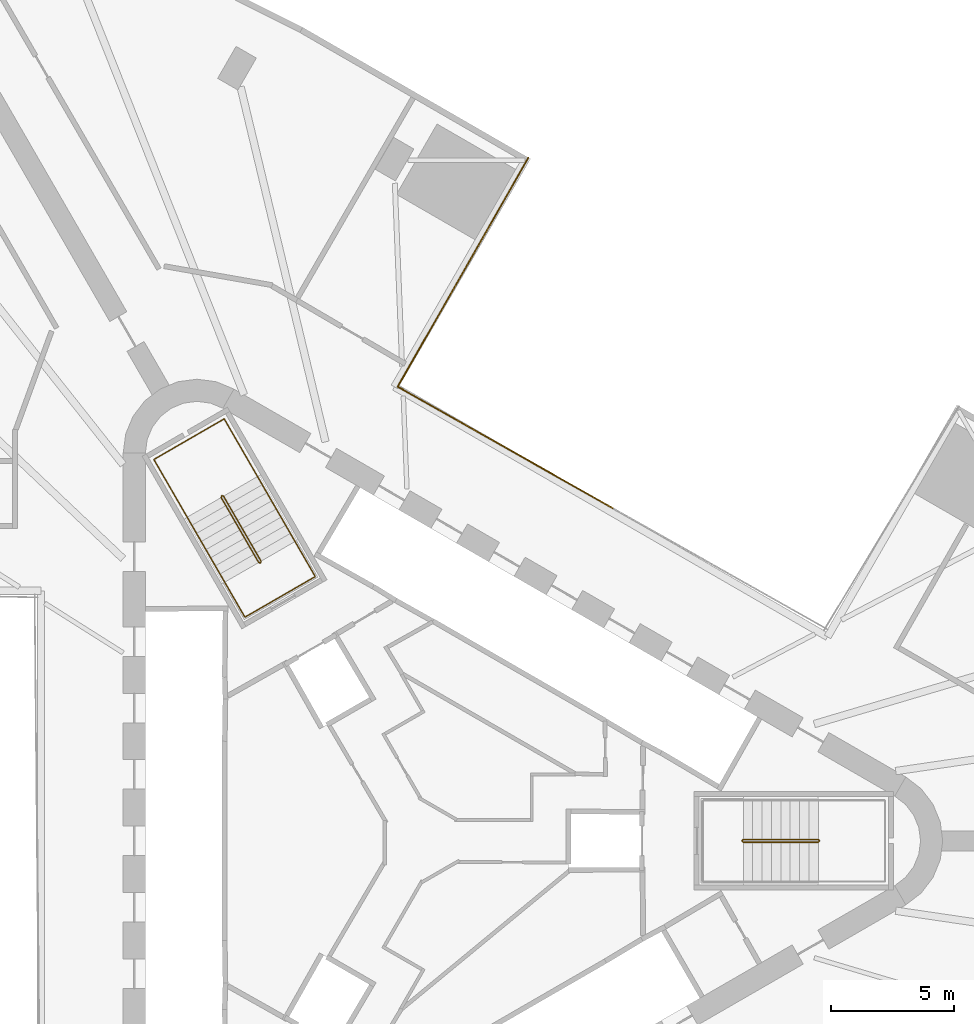
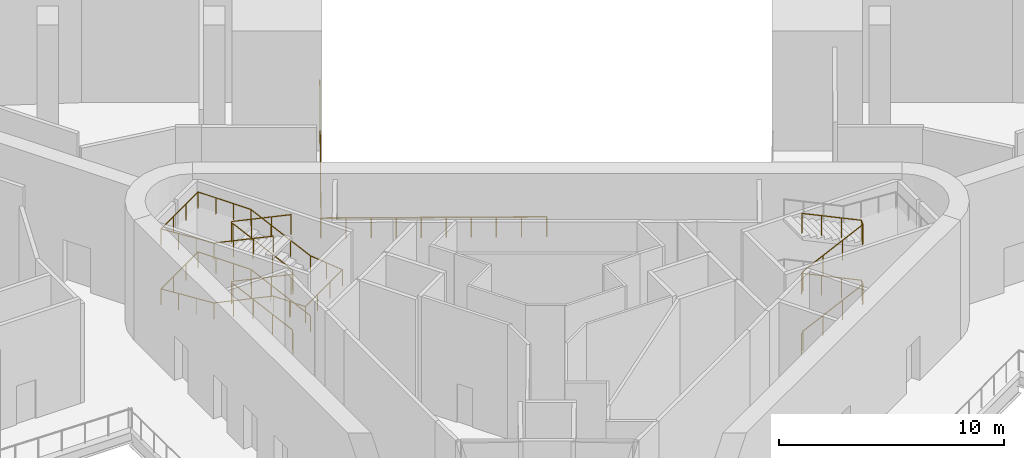
# One storey, part 10 of 11: 5 railings.
"""IFC4 building model written with IfcOpenShell, lengths in metres."""

from ifc_helpers import new_model, si_unit, direction, frame, origin, origin_2d, place, context, subcontext, project, spatial, circle, extrude, material, type_object, element, save


model = new_model("IFC4")

# Units and contexts
model_context = context("Model", 3, precision=1e-05, world=origin(), true_north=direction((0.0, 1.0)))
body_context = subcontext(model_context, "Body", "Model", "MODEL_VIEW")
ifc_project = project(units=[si_unit("LENGTHUNIT", "METRE"), si_unit("AREAUNIT", "SQUARE_METRE"), si_unit("VOLUMEUNIT", "CUBIC_METRE"), si_unit("PLANEANGLEUNIT", "RADIAN"), si_unit("MASSUNIT", "GRAM", prefix="KILO")], contexts=[model_context])

# Site, building, storey
site_placement = place(None, origin())
site = spatial("IfcSite", under=ifc_project, at=site_placement, CompositionType="ELEMENT")
building_placement = place(site_placement, origin())
building = spatial("IfcBuilding", under=site, at=building_placement, Name="Tanit Gate Tower", CompositionType="ELEMENT")
storey_placement = place(building_placement, frame((0.0, 0.0, 9.0)))
storey = spatial("IfcBuildingStorey", under=building, at=storey_placement, Name="L01", CompositionType="ELEMENT", Elevation=9.0)

# Railings
ifc_material_1 = material(Name="Stainless steel", Category="steel")
railing_type_1 = type_object("IfcRailingType", Name="Guard 1100 stainless steel balustrade", PredefinedType="GUARDRAIL", material=ifc_material_1)
railing_1_placement = place(storey_placement, frame((4.366943359375, 27.763916015625, 0.0)))
element("IfcRailing", 1, at=railing_1_placement, inside=storey, type_object=railing_type_1, Name="Tunnel edge guard L01 6", PredefinedType="GUARDRAIL", context=body_context, shape_type="SweptSolid", body=[
    extrude(circle(Radius=0.02392578125, at=origin_2d()), frame((0.0, 0.0, 1.076171875), z_axis=(-0.495702152138, -0.86849258855, 0.0), x_axis=(0.86849258855, -0.495702152138, 0.0)), (0.0, 0.0, 1.0), 10.716064453125),
    extrude(circle(Radius=0.02099609375, at=origin_2d()), origin(), (0.0, 0.0, 1.0), 1.052001953125),
    extrude(circle(Radius=0.02099609375, at=origin_2d()), frame((-0.59033203125, -1.0341796875, 0.0)), (0.0, 0.0, 1.0), 1.052001953125),
    extrude(circle(Radius=0.02099609375, at=origin_2d()), frame((-1.180419921875, -2.068115234375, 0.0)), (0.0, 0.0, 1.0), 1.052001953125),
    extrude(circle(Radius=0.02099609375, at=origin_2d()), frame((-1.770751953125, -3.102294921875, 0.0)), (0.0, 0.0, 1.0), 1.052001953125),
    extrude(circle(Radius=0.02099609375, at=origin_2d()), frame((-2.36083984375, -4.136474609375, 0.0)), (0.0, 0.0, 1.0), 1.052001953125),
    extrude(circle(Radius=0.02099609375, at=origin_2d()), frame((-2.951171875, -5.17041015625, 0.0)), (0.0, 0.0, 1.0), 1.052001953125),
    extrude(circle(Radius=0.02099609375, at=origin_2d()), frame((-3.541259765625, -6.20458984375, 0.0)), (0.0, 0.0, 1.0), 1.052001953125),
    extrude(circle(Radius=0.02099609375, at=origin_2d()), frame((-4.131591796875, -7.23876953125, 0.0)), (0.0, 0.0, 1.0), 1.052001953125),
    extrude(circle(Radius=0.02099609375, at=origin_2d()), frame((-4.7216796875, -8.272705078125, 0.0)), (0.0, 0.0, 1.0), 1.052001953125),
    extrude(circle(Radius=0.02099609375, at=origin_2d()), frame((-5.31201171875, -9.306884765625, 0.0)), (0.0, 0.0, 1.0), 1.052001953125),
])
railing_2_placement = place(storey_placement, frame((-0.945068359375, 18.45703125, 0.0)))
element("IfcRailing", 2, at=railing_2_placement, inside=storey, type_object=railing_type_1, Name="Tunnel edge guard L01 6", PredefinedType="GUARDRAIL", context=body_context, shape_type="SweptSolid", body=[
    extrude(circle(Radius=0.02392578125, at=origin_2d()), frame((0.0, 0.0, 1.076171875), z_axis=(0.870687554571, -0.491836540239, 0.0), x_axis=(0.491836540239, 0.870687554571, 0.0)), (0.0, 0.0, 1.0), 10.02392578125),
    extrude(circle(Radius=0.02099609375, at=origin_2d()), origin(), (0.0, 0.0, 1.0), 1.052001953125),
    extrude(circle(Radius=0.02099609375, at=origin_2d()), frame((0.9697265625, -0.5478515625, 0.0)), (0.0, 0.0, 1.0), 1.052001953125),
    extrude(circle(Radius=0.02099609375, at=origin_2d()), frame((1.939453125, -1.095703125, 0.0)), (0.0, 0.0, 1.0), 1.052001953125),
    extrude(circle(Radius=0.02099609375, at=origin_2d()), frame((2.9091796875, -1.643310546875, 0.0)), (0.0, 0.0, 1.0), 1.052001953125),
    extrude(circle(Radius=0.02099609375, at=origin_2d()), frame((3.87890625, -2.191162109375, 0.0)), (0.0, 0.0, 1.0), 1.052001953125),
    extrude(circle(Radius=0.02099609375, at=origin_2d()), frame((4.848876953125, -2.739013671875, 0.0)), (0.0, 0.0, 1.0), 1.052001953125),
    extrude(circle(Radius=0.02099609375, at=origin_2d()), frame((5.818603515625, -3.286865234375, 0.0)), (0.0, 0.0, 1.0), 1.052001953125),
    extrude(circle(Radius=0.02099609375, at=origin_2d()), frame((6.788330078125, -3.83447265625, 0.0)), (0.0, 0.0, 1.0), 1.052001953125),
    extrude(circle(Radius=0.02099609375, at=origin_2d()), frame((7.758056640625, -4.38232421875, 0.0)), (0.0, 0.0, 1.0), 1.052001953125),
    extrude(circle(Radius=0.02099609375, at=origin_2d()), frame((8.727783203125, -4.93017578125, 0.0)), (0.0, 0.0, 1.0), 1.052001953125),
])
ifc_material_2 = material(Name="Stainless steel balustrade", Category="steel")
railing_type_2 = type_object("IfcRailingType", Name="INT-STAIR-GUARD", PredefinedType="GUARDRAIL", material=ifc_material_2)
railing_3_placement = place(storey_placement, frame((13.044921875, 0.0048828125, 0.0)))
element("IfcRailing", 3, at=railing_3_placement, inside=storey, type_object=railing_type_2, Name="L01 S1 stair guard 1", PredefinedType="GUARDRAIL", context=body_context, shape_type="SweptSolid", body=[
    extrude(circle(Radius=0.02392578125, at=origin_2d()), frame((0.0, 0.0, 1.076171875), z_axis=(0.0, -1.0, 0.0), x_axis=(1.0, 0.0, 0.0)), (0.0, 0.0, 1.0), 0.009765625),
    extrude(circle(Radius=0.02392578125, at=origin_2d()), frame((0.0, -0.009765625, 1.076171875), z_axis=(0.257938167925, -0.257938167925, 0.931093874459), x_axis=(0.707106781187, 0.707106781187, 0.0)), (0.0, 0.0, 1.0), 0.194091796875),
    extrude(circle(Radius=0.02392578125, at=origin_2d()), frame((0.050048828125, -0.059814453125, 1.2568359375), z_axis=(0.903839427737, 0.0, 0.427871813594), x_axis=(0.0, 1.0, 0.0)), (0.0, 0.0, 1.0), 3.375732421875),
    extrude(circle(Radius=0.02392578125, at=origin_2d()), frame((3.10107421875, -0.059814453125, 2.701171875), z_axis=(0.707106781187, 0.707106781187, 0.0), x_axis=(-0.707106781187, 0.707106781187, 0.0)), (0.0, 0.0, 1.0), 0.07080078125),
    extrude(circle(Radius=0.02392578125, at=origin_2d()), frame((3.151123046875, -0.009765625, 2.701171875), z_axis=(0.0, 1.0, 0.0), x_axis=(-1.0, 0.0, 0.0)), (0.0, 0.0, 1.0), 0.009765625),
    extrude(circle(Radius=0.02392578125, at=origin_2d()), frame((3.151123046875, 0.0, 2.701171875), z_axis=(-0.257938167925, 0.257938167925, 0.931093874459), x_axis=(-0.707106781187, -0.707106781187, 0.0)), (0.0, 0.0, 1.0), 0.194091796875),
    extrude(circle(Radius=0.02392578125, at=origin_2d()), frame((3.10107421875, 0.050048828125, 2.8818359375), z_axis=(-0.903839427737, 0.0, 0.427871813594), x_axis=(0.0, -1.0, 0.0)), (0.0, 0.0, 1.0), 3.375732421875),
    extrude(circle(Radius=0.02392578125, at=origin_2d()), frame((0.050048828125, 0.050048828125, 4.326171875), z_axis=(-0.707106781187, -0.707106781187, 0.0), x_axis=(0.707106781187, -0.707106781187, 0.0)), (0.0, 0.0, 1.0), 0.07080078125),
    extrude(circle(Radius=0.02392578125, at=origin_2d()), frame((0.0, 0.0, 4.326171875), z_axis=(0.0, -1.0, 0.0), x_axis=(1.0, 0.0, 0.0)), (0.0, 0.0, 1.0), 0.009765625),
    extrude(circle(Radius=0.02392578125, at=origin_2d()), frame((0.0, -0.009765625, 4.326171875), z_axis=(0.257938167925, -0.257938167925, 0.931093874459), x_axis=(0.707106781187, 0.707106781187, 0.0)), (0.0, 0.0, 1.0), 0.194091796875),
    extrude(circle(Radius=0.02392578125, at=origin_2d()), frame((0.050048828125, -0.059814453125, 4.5068359375), z_axis=(0.903839427737, 0.0, 0.427871813594), x_axis=(0.0, 1.0, 0.0)), (0.0, 0.0, 1.0), 3.375732421875),
    extrude(circle(Radius=0.02392578125, at=origin_2d()), frame((3.10107421875, -0.059814453125, 5.951171875), z_axis=(0.707106781187, 0.707106781187, 0.0), x_axis=(-0.707106781187, 0.707106781187, 0.0)), (0.0, 0.0, 1.0), 0.07080078125),
    extrude(circle(Radius=0.02392578125, at=origin_2d()), frame((3.151123046875, -0.009765625, 5.951171875), z_axis=(0.0, 1.0, 0.0), x_axis=(-1.0, 0.0, 0.0)), (0.0, 0.0, 1.0), 0.009765625),
    extrude(circle(Radius=0.02392578125, at=origin_2d()), frame((3.151123046875, 0.0, 5.951171875), z_axis=(-0.257938167925, 0.257938167925, 0.931093874459), x_axis=(-0.707106781187, -0.707106781187, 0.0)), (0.0, 0.0, 1.0), 0.194091796875),
    extrude(circle(Radius=0.02392578125, at=origin_2d()), frame((3.10107421875, 0.050048828125, 6.1318359375), z_axis=(-0.903839427737, 0.0, 0.427871813594), x_axis=(0.0, -1.0, 0.0)), (0.0, 0.0, 1.0), 3.375732421875),
    extrude(circle(Radius=0.02099609375, at=origin_2d()), origin(), (0.0, 0.0, 1.0), 1.052001953125),
    extrude(circle(Radius=0.02099609375, at=origin_2d()), frame((0.0, -0.009765625, 0.0)), (0.0, 0.0, 1.0), 1.052001953125),
    extrude(circle(Radius=0.02099609375, at=origin_2d()), frame((0.050048828125, -0.059814453125, 0.1806640625)), (0.0, 0.0, 1.0), 1.052001953125),
    extrude(circle(Radius=0.02099609375, at=origin_2d()), frame((1.067138671875, -0.059814453125, 0.662109375)), (0.0, 0.0, 1.0), 1.052001953125),
    extrude(circle(Radius=0.02099609375, at=origin_2d()), frame((2.083984375, -0.059814453125, 1.1435546875)), (0.0, 0.0, 1.0), 1.052001953125),
    extrude(circle(Radius=0.02099609375, at=origin_2d()), frame((3.10107421875, -0.059814453125, 1.625)), (0.0, 0.0, 1.0), 1.052001953125),
    extrude(circle(Radius=0.02099609375, at=origin_2d()), frame((3.151123046875, -0.009765625, 1.625)), (0.0, 0.0, 1.0), 1.052001953125),
    extrude(circle(Radius=0.02099609375, at=origin_2d()), frame((3.151123046875, 0.0, 1.625)), (0.0, 0.0, 1.0), 1.052001953125),
    extrude(circle(Radius=0.02099609375, at=origin_2d()), frame((3.10107421875, 0.050048828125, 1.8056640625)), (0.0, 0.0, 1.0), 1.052001953125),
    extrude(circle(Radius=0.02099609375, at=origin_2d()), frame((2.083984375, 0.050048828125, 2.287109375)), (0.0, 0.0, 1.0), 1.052001953125),
    extrude(circle(Radius=0.02099609375, at=origin_2d()), frame((1.067138671875, 0.050048828125, 2.7685546875)), (0.0, 0.0, 1.0), 1.052001953125),
    extrude(circle(Radius=0.02099609375, at=origin_2d()), frame((0.050048828125, 0.050048828125, 3.25)), (0.0, 0.0, 1.0), 1.052001953125),
    extrude(circle(Radius=0.02099609375, at=origin_2d()), frame((0.0, 0.0, 3.25)), (0.0, 0.0, 1.0), 1.052001953125),
    extrude(circle(Radius=0.02099609375, at=origin_2d()), frame((0.0, -0.009765625, 3.25)), (0.0, 0.0, 1.0), 1.052001953125),
    extrude(circle(Radius=0.02099609375, at=origin_2d()), frame((0.050048828125, -0.059814453125, 3.4306640625)), (0.0, 0.0, 1.0), 1.052001953125),
    extrude(circle(Radius=0.02099609375, at=origin_2d()), frame((1.067138671875, -0.059814453125, 3.912109375)), (0.0, 0.0, 1.0), 1.052001953125),
    extrude(circle(Radius=0.02099609375, at=origin_2d()), frame((2.083984375, -0.059814453125, 4.3935546875)), (0.0, 0.0, 1.0), 1.052001953125),
    extrude(circle(Radius=0.02099609375, at=origin_2d()), frame((3.10107421875, -0.059814453125, 4.875)), (0.0, 0.0, 1.0), 1.052001953125),
    extrude(circle(Radius=0.02099609375, at=origin_2d()), frame((3.151123046875, -0.009765625, 4.875)), (0.0, 0.0, 1.0), 1.052001953125),
    extrude(circle(Radius=0.02099609375, at=origin_2d()), frame((3.151123046875, 0.0, 4.875)), (0.0, 0.0, 1.0), 1.052001953125),
    extrude(circle(Radius=0.02099609375, at=origin_2d()), frame((3.10107421875, 0.050048828125, 5.0556640625)), (0.0, 0.0, 1.0), 1.052001953125),
    extrude(circle(Radius=0.02099609375, at=origin_2d()), frame((2.083984375, 0.050048828125, 5.537109375)), (0.0, 0.0, 1.0), 1.052001953125),
    extrude(circle(Radius=0.02099609375, at=origin_2d()), frame((1.067138671875, 0.050048828125, 6.0185546875)), (0.0, 0.0, 1.0), 1.052001953125),
    extrude(circle(Radius=0.02099609375, at=origin_2d()), frame((0.050048828125, 0.050048828125, 6.5)), (0.0, 0.0, 1.0), 1.052001953125),
])
railing_4_placement = place(storey_placement, frame((-6.527099609375, 11.29345703125, 0.0)))
element("IfcRailing", 4, at=railing_4_placement, inside=storey, type_object=railing_type_2, Name="L01 S2 stair guard 1", PredefinedType="GUARDRAIL", context=body_context, shape_type="SweptSolid", body=[
    extrude(circle(Radius=0.02392578125, at=origin_2d()), frame((0.0, 0.0, 1.076171875), z_axis=(0.868243142124, 0.496138938357, 0.0), x_axis=(-0.496138938357, 0.868243142124, 0.0)), (0.0, 0.0, 1.0), 0.01171875),
    extrude(circle(Radius=0.02392578125, at=origin_2d()), frame((0.01025390625, 0.005859375, 1.076171875), z_axis=(0.094369489949, 0.352312762477, 0.931112300833), x_axis=(-0.965948051503, 0.258736085224, 0.0)), (0.0, 0.0, 1.0), 0.194091796875),
    extrude(circle(Radius=0.02392578125, at=origin_2d()), frame((0.028564453125, 0.07421875, 1.2568359375), z_axis=(-0.451890160261, 0.782649155065, 0.42808361699), x_axis=(-0.866012246495, -0.500022788402, 0.0)), (0.0, 0.0, 1.0), 3.3740234375),
    extrude(circle(Radius=0.02392578125, at=origin_2d()), frame((-1.49609375, 2.71484375, 2.701171875), z_axis=(-0.965715946433, 0.259601060869, 0.0), x_axis=(-0.259601060869, -0.965715946433, 0.0)), (0.0, 0.0, 1.0), 0.070556640625),
    extrude(circle(Radius=0.02392578125, at=origin_2d()), frame((-1.564208984375, 2.733154296875, 2.701171875), z_axis=(-0.873197702015, -0.487366159264, 0.0), x_axis=(0.487366159264, -0.873197702015, 0.0)), (0.0, 0.0, 1.0), 0.011962890625),
    extrude(circle(Radius=0.02392578125, at=origin_2d()), frame((-1.57470703125, 2.727294921875, 2.701171875), z_axis=(-0.094369489949, -0.352312762477, 0.931112300833), x_axis=(0.965948051503, -0.258736085224, 0.0)), (0.0, 0.0, 1.0), 0.194091796875),
    extrude(circle(Radius=0.02392578125, at=origin_2d()), frame((-1.593017578125, 2.658935546875, 2.8818359375), z_axis=(0.451890160261, -0.782649155065, 0.42808361699), x_axis=(0.866012246495, 0.500022788402, 0.0)), (0.0, 0.0, 1.0), 3.3740234375),
    extrude(circle(Radius=0.02392578125, at=origin_2d()), frame((-0.068359375, 0.018310546875, 4.326171875), z_axis=(0.965948051503, -0.258736085224, 0.0), x_axis=(0.258736085224, 0.965948051503, 0.0)), (0.0, 0.0, 1.0), 0.07080078125),
    extrude(circle(Radius=0.02392578125, at=origin_2d()), frame((0.0, 0.0, 4.326171875), z_axis=(0.868243142124, 0.496138938357, 0.0), x_axis=(-0.496138938357, 0.868243142124, 0.0)), (0.0, 0.0, 1.0), 0.01171875),
    extrude(circle(Radius=0.02392578125, at=origin_2d()), frame((0.01025390625, 0.005859375, 4.326171875), z_axis=(0.094369489949, 0.352312762477, 0.931112300833), x_axis=(-0.965948051503, 0.258736085224, 0.0)), (0.0, 0.0, 1.0), 0.194091796875),
    extrude(circle(Radius=0.02392578125, at=origin_2d()), frame((0.028564453125, 0.07421875, 4.5068359375), z_axis=(-0.451890160261, 0.782649155065, 0.42808361699), x_axis=(-0.866012246495, -0.500022788402, 0.0)), (0.0, 0.0, 1.0), 3.3740234375),
    extrude(circle(Radius=0.02392578125, at=origin_2d()), frame((-1.49609375, 2.71484375, 5.951171875), z_axis=(-0.965715946433, 0.259601060869, 0.0), x_axis=(-0.259601060869, -0.965715946433, 0.0)), (0.0, 0.0, 1.0), 0.070556640625),
    extrude(circle(Radius=0.02392578125, at=origin_2d()), frame((-1.564208984375, 2.733154296875, 5.951171875), z_axis=(-0.873197702015, -0.487366159264, 0.0), x_axis=(0.487366159264, -0.873197702015, 0.0)), (0.0, 0.0, 1.0), 0.011962890625),
    extrude(circle(Radius=0.02392578125, at=origin_2d()), frame((-1.57470703125, 2.727294921875, 5.951171875), z_axis=(-0.094369489949, -0.352312762477, 0.931112300833), x_axis=(0.965948051503, -0.258736085224, 0.0)), (0.0, 0.0, 1.0), 0.194091796875),
    extrude(circle(Radius=0.02392578125, at=origin_2d()), frame((-1.593017578125, 2.658935546875, 6.1318359375), z_axis=(0.451890160261, -0.782649155065, 0.42808361699), x_axis=(0.866012246495, 0.500022788402, 0.0)), (0.0, 0.0, 1.0), 3.3740234375),
    extrude(circle(Radius=0.02099609375, at=origin_2d()), origin(), (0.0, 0.0, 1.0), 1.052001953125),
    extrude(circle(Radius=0.02099609375, at=origin_2d()), frame((0.01025390625, 0.005859375, 0.0)), (0.0, 0.0, 1.0), 1.052001953125),
    extrude(circle(Radius=0.02099609375, at=origin_2d()), frame((0.028564453125, 0.07421875, 0.1806640625)), (0.0, 0.0, 1.0), 1.052001953125),
    extrude(circle(Radius=0.02099609375, at=origin_2d()), frame((-0.479736328125, 0.954345703125, 0.662109375)), (0.0, 0.0, 1.0), 1.052001953125),
    extrude(circle(Radius=0.02099609375, at=origin_2d()), frame((-0.98779296875, 1.834716796875, 1.1435546875)), (0.0, 0.0, 1.0), 1.052001953125),
    extrude(circle(Radius=0.02099609375, at=origin_2d()), frame((-1.49609375, 2.71484375, 1.625)), (0.0, 0.0, 1.0), 1.052001953125),
    extrude(circle(Radius=0.02099609375, at=origin_2d()), frame((-1.564208984375, 2.733154296875, 1.625)), (0.0, 0.0, 1.0), 1.052001953125),
    extrude(circle(Radius=0.02099609375, at=origin_2d()), frame((-1.57470703125, 2.727294921875, 1.625)), (0.0, 0.0, 1.0), 1.052001953125),
    extrude(circle(Radius=0.02099609375, at=origin_2d()), frame((-1.593017578125, 2.658935546875, 1.8056640625)), (0.0, 0.0, 1.0), 1.052001953125),
    extrude(circle(Radius=0.02099609375, at=origin_2d()), frame((-1.084716796875, 1.77880859375, 2.287109375)), (0.0, 0.0, 1.0), 1.052001953125),
    extrude(circle(Radius=0.02099609375, at=origin_2d()), frame((-0.57666015625, 0.8984375, 2.7685546875)), (0.0, 0.0, 1.0), 1.052001953125),
    extrude(circle(Radius=0.02099609375, at=origin_2d()), frame((-0.068359375, 0.018310546875, 3.25)), (0.0, 0.0, 1.0), 1.052001953125),
    extrude(circle(Radius=0.02099609375, at=origin_2d()), frame((0.0, 0.0, 3.25)), (0.0, 0.0, 1.0), 1.052001953125),
    extrude(circle(Radius=0.02099609375, at=origin_2d()), frame((0.01025390625, 0.005859375, 3.25)), (0.0, 0.0, 1.0), 1.052001953125),
    extrude(circle(Radius=0.02099609375, at=origin_2d()), frame((0.028564453125, 0.07421875, 3.4306640625)), (0.0, 0.0, 1.0), 1.052001953125),
    extrude(circle(Radius=0.02099609375, at=origin_2d()), frame((-0.479736328125, 0.954345703125, 3.912109375)), (0.0, 0.0, 1.0), 1.052001953125),
    extrude(circle(Radius=0.02099609375, at=origin_2d()), frame((-0.98779296875, 1.834716796875, 4.3935546875)), (0.0, 0.0, 1.0), 1.052001953125),
    extrude(circle(Radius=0.02099609375, at=origin_2d()), frame((-1.49609375, 2.71484375, 4.875)), (0.0, 0.0, 1.0), 1.052001953125),
    extrude(circle(Radius=0.02099609375, at=origin_2d()), frame((-1.564208984375, 2.733154296875, 4.875)), (0.0, 0.0, 1.0), 1.052001953125),
    extrude(circle(Radius=0.02099609375, at=origin_2d()), frame((-1.57470703125, 2.727294921875, 4.875)), (0.0, 0.0, 1.0), 1.052001953125),
    extrude(circle(Radius=0.02099609375, at=origin_2d()), frame((-1.593017578125, 2.658935546875, 5.0556640625)), (0.0, 0.0, 1.0), 1.052001953125),
    extrude(circle(Radius=0.02099609375, at=origin_2d()), frame((-1.084716796875, 1.77880859375, 5.537109375)), (0.0, 0.0, 1.0), 1.052001953125),
    extrude(circle(Radius=0.02099609375, at=origin_2d()), frame((-0.57666015625, 0.8984375, 6.0185546875)), (0.0, 0.0, 1.0), 1.052001953125),
    extrude(circle(Radius=0.02099609375, at=origin_2d()), frame((-0.068359375, 0.018310546875, 6.5)), (0.0, 0.0, 1.0), 1.052001953125),
])
ifc_material_3 = material(Name="Stainless steel handrail", Category="steel")
railing_type_3 = type_object("IfcRailingType", Name="INT-STAIR-HANDRAIL", PredefinedType="HANDRAIL", material=ifc_material_3)
railing_5_placement = place(storey_placement, frame((-5.1181640625, 12.164794921875, 0.1806640625)))
element("IfcRailing", 5, at=railing_5_placement, inside=storey, type_object=railing_type_3, Name="L01 S2 stair handrail 1", PredefinedType="HANDRAIL", context=body_context, shape_type="SweptSolid", body=[
    extrude(circle(Radius=0.02392578125, at=origin_2d()), frame((0.0, 0.0, 0.8759765625), z_axis=(-0.45183257344, 0.782674746048, 0.428097614425), x_axis=(-0.866046917185, -0.499962735845, 0.0)), (0.0, 0.0, 1.0), 3.373779296875),
    extrude(circle(Radius=0.02392578125, at=origin_2d()), frame((-1.5244140625, 2.640625, 2.3203125), z_axis=(-0.500019123664, 0.86601436245, 0.0), x_axis=(-0.86601436245, -0.500019123664, 0.0)), (0.0, 0.0, 1.0), 2.70703125),
    extrude(circle(Radius=0.02392578125, at=origin_2d()), frame((-2.8779296875, 4.98486328125, 2.3203125), z_axis=(-0.866008176907, -0.50002983664, 0.0), x_axis=(0.50002983664, -0.866008176907, 0.0)), (0.0, 0.0, 1.0), 3.300048828125),
    extrude(circle(Radius=0.02392578125, at=origin_2d()), frame((-5.73583984375, 3.334716796875, 2.3203125), z_axis=(0.498947983057, -0.864069189274, 0.066598396007), x_axis=(0.865991810323, 0.500058181068, 0.0)), (0.0, 0.0, 1.0), 2.712646484375),
    extrude(circle(Radius=0.02392578125, at=origin_2d()), frame((-4.38232421875, 0.99072265625, 2.5009765625), z_axis=(0.451864569475, -0.782677189432, 0.428059374381), x_axis=(0.866032263162, 0.499988119021, 0.0)), (0.0, 0.0, 1.0), 3.374267578125),
    extrude(circle(Radius=0.02392578125, at=origin_2d()), frame((-2.857666015625, -1.650146484375, 3.9453125), z_axis=(0.499941024108, -0.866059450854, 0.0), x_axis=(0.866059450854, 0.499941024108, 0.0)), (0.0, 0.0, 1.0), 1.643798828125),
    extrude(circle(Radius=0.02392578125, at=origin_2d()), frame((-2.035888671875, -3.07373046875, 3.9453125), z_axis=(0.866040211805, 0.499974350878, 0.0), x_axis=(-0.499974350878, 0.866040211805, 0.0)), (0.0, 0.0, 1.0), 3.300048828125),
    extrude(circle(Radius=0.02392578125, at=origin_2d()), frame((0.822021484375, -1.423828125, 3.9453125), z_axis=(-0.496996431912, 0.860850368552, 0.109229985036), x_axis=(-0.866032269107, -0.499988108725, 0.0)), (0.0, 0.0, 1.0), 1.654052734375),
    extrude(circle(Radius=0.02392578125, at=origin_2d()), frame((0.0, 0.0, 4.1259765625), z_axis=(-0.45183257344, 0.782674746048, 0.428097614425), x_axis=(-0.866046917185, -0.499962735845, 0.0)), (0.0, 0.0, 1.0), 3.373779296875),
    extrude(circle(Radius=0.02392578125, at=origin_2d()), frame((-1.5244140625, 2.640625, 5.5703125), z_axis=(-0.500019123664, 0.86601436245, 0.0), x_axis=(-0.86601436245, -0.500019123664, 0.0)), (0.0, 0.0, 1.0), 2.70703125),
    extrude(circle(Radius=0.02392578125, at=origin_2d()), frame((-2.8779296875, 4.98486328125, 5.5703125), z_axis=(-0.866008176907, -0.50002983664, 0.0), x_axis=(0.50002983664, -0.866008176907, 0.0)), (0.0, 0.0, 1.0), 3.300048828125),
    extrude(circle(Radius=0.02392578125, at=origin_2d()), frame((-5.73583984375, 3.334716796875, 5.5703125), z_axis=(0.498947983057, -0.864069189274, 0.066598396007), x_axis=(0.865991810323, 0.500058181068, 0.0)), (0.0, 0.0, 1.0), 2.712646484375),
    extrude(circle(Radius=0.02392578125, at=origin_2d()), frame((-4.38232421875, 0.99072265625, 5.7509765625), z_axis=(0.451864569475, -0.782677189432, 0.428059374381), x_axis=(0.866032263162, 0.499988119021, 0.0)), (0.0, 0.0, 1.0), 3.374267578125),
    extrude(circle(Radius=0.02099609375, at=origin_2d()), origin(), (0.0, 0.0, 1.0), 0.851806640625),
    extrude(circle(Radius=0.02099609375, at=origin_2d()), frame((-0.508056640625, 0.880126953125, 0.4814453125)), (0.0, 0.0, 1.0), 0.851806640625),
    extrude(circle(Radius=0.02099609375, at=origin_2d()), frame((-1.016357421875, 1.760498046875, 0.962890625)), (0.0, 0.0, 1.0), 0.851806640625),
    extrude(circle(Radius=0.02099609375, at=origin_2d()), frame((-1.5244140625, 2.640625, 1.4443359375)), (0.0, 0.0, 1.0), 0.851806640625),
    extrude(circle(Radius=0.02099609375, at=origin_2d()), frame((-1.9755859375, 3.422119140625, 1.4443359375)), (0.0, 0.0, 1.0), 0.851806640625),
    extrude(circle(Radius=0.02099609375, at=origin_2d()), frame((-2.4267578125, 4.203369140625, 1.4443359375)), (0.0, 0.0, 1.0), 0.851806640625),
    extrude(circle(Radius=0.02099609375, at=origin_2d()), frame((-2.8779296875, 4.98486328125, 1.4443359375)), (0.0, 0.0, 1.0), 0.851806640625),
    extrude(circle(Radius=0.02099609375, at=origin_2d()), frame((-3.83056640625, 4.434814453125, 1.4443359375)), (0.0, 0.0, 1.0), 0.851806640625),
    extrude(circle(Radius=0.02099609375, at=origin_2d()), frame((-4.783203125, 3.884765625, 1.4443359375)), (0.0, 0.0, 1.0), 0.851806640625),
    extrude(circle(Radius=0.02099609375, at=origin_2d()), frame((-5.73583984375, 3.334716796875, 1.4443359375)), (0.0, 0.0, 1.0), 0.851806640625),
    extrude(circle(Radius=0.02099609375, at=origin_2d()), frame((-5.28466796875, 2.553466796875, 1.504638671875)), (0.0, 0.0, 1.0), 0.851806640625),
    extrude(circle(Radius=0.02099609375, at=origin_2d()), frame((-4.83349609375, 1.77197265625, 1.564697265625)), (0.0, 0.0, 1.0), 0.851806640625),
    extrude(circle(Radius=0.02099609375, at=origin_2d()), frame((-4.38232421875, 0.99072265625, 1.625)), (0.0, 0.0, 1.0), 0.851806640625),
    extrude(circle(Radius=0.02099609375, at=origin_2d()), frame((-3.8740234375, 0.1103515625, 2.1064453125)), (0.0, 0.0, 1.0), 0.851806640625),
    extrude(circle(Radius=0.02099609375, at=origin_2d()), frame((-3.365966796875, -0.769775390625, 2.587890625)), (0.0, 0.0, 1.0), 0.851806640625),
    extrude(circle(Radius=0.02099609375, at=origin_2d()), frame((-2.857666015625, -1.650146484375, 3.0693359375)), (0.0, 0.0, 1.0), 0.851806640625),
    extrude(circle(Radius=0.02099609375, at=origin_2d()), frame((-2.44677734375, -2.36181640625, 3.0693359375)), (0.0, 0.0, 1.0), 0.851806640625),
    extrude(circle(Radius=0.02099609375, at=origin_2d()), frame((-2.035888671875, -3.07373046875, 3.0693359375)), (0.0, 0.0, 1.0), 0.851806640625),
    extrude(circle(Radius=0.02099609375, at=origin_2d()), frame((-1.083251953125, -2.523681640625, 3.0693359375)), (0.0, 0.0, 1.0), 0.851806640625),
    extrude(circle(Radius=0.02099609375, at=origin_2d()), frame((-0.130615234375, -1.973876953125, 3.0693359375)), (0.0, 0.0, 1.0), 0.851806640625),
    extrude(circle(Radius=0.02099609375, at=origin_2d()), frame((0.822021484375, -1.423828125, 3.0693359375)), (0.0, 0.0, 1.0), 0.851806640625),
    extrude(circle(Radius=0.02099609375, at=origin_2d()), frame((0.4111328125, -0.7119140625, 3.15966796875)), (0.0, 0.0, 1.0), 0.851806640625),
    extrude(circle(Radius=0.02099609375, at=origin_2d()), frame((0.0, 0.0, 3.25)), (0.0, 0.0, 1.0), 0.851806640625),
    extrude(circle(Radius=0.02099609375, at=origin_2d()), frame((-0.508056640625, 0.880126953125, 3.7314453125)), (0.0, 0.0, 1.0), 0.851806640625),
    extrude(circle(Radius=0.02099609375, at=origin_2d()), frame((-1.016357421875, 1.760498046875, 4.212890625)), (0.0, 0.0, 1.0), 0.851806640625),
    extrude(circle(Radius=0.02099609375, at=origin_2d()), frame((-1.5244140625, 2.640625, 4.6943359375)), (0.0, 0.0, 1.0), 0.851806640625),
    extrude(circle(Radius=0.02099609375, at=origin_2d()), frame((-1.9755859375, 3.422119140625, 4.6943359375)), (0.0, 0.0, 1.0), 0.851806640625),
    extrude(circle(Radius=0.02099609375, at=origin_2d()), frame((-2.4267578125, 4.203369140625, 4.6943359375)), (0.0, 0.0, 1.0), 0.851806640625),
    extrude(circle(Radius=0.02099609375, at=origin_2d()), frame((-2.8779296875, 4.98486328125, 4.6943359375)), (0.0, 0.0, 1.0), 0.851806640625),
    extrude(circle(Radius=0.02099609375, at=origin_2d()), frame((-3.83056640625, 4.434814453125, 4.6943359375)), (0.0, 0.0, 1.0), 0.851806640625),
    extrude(circle(Radius=0.02099609375, at=origin_2d()), frame((-4.783203125, 3.884765625, 4.6943359375)), (0.0, 0.0, 1.0), 0.851806640625),
    extrude(circle(Radius=0.02099609375, at=origin_2d()), frame((-5.73583984375, 3.334716796875, 4.6943359375)), (0.0, 0.0, 1.0), 0.851806640625),
    extrude(circle(Radius=0.02099609375, at=origin_2d()), frame((-5.28466796875, 2.553466796875, 4.754638671875)), (0.0, 0.0, 1.0), 0.851806640625),
    extrude(circle(Radius=0.02099609375, at=origin_2d()), frame((-4.83349609375, 1.77197265625, 4.814697265625)), (0.0, 0.0, 1.0), 0.851806640625),
    extrude(circle(Radius=0.02099609375, at=origin_2d()), frame((-4.38232421875, 0.99072265625, 4.875)), (0.0, 0.0, 1.0), 0.851806640625),
    extrude(circle(Radius=0.02099609375, at=origin_2d()), frame((-3.8740234375, 0.1103515625, 5.3564453125)), (0.0, 0.0, 1.0), 0.851806640625),
    extrude(circle(Radius=0.02099609375, at=origin_2d()), frame((-3.365966796875, -0.769775390625, 5.837890625)), (0.0, 0.0, 1.0), 0.851806640625),
    extrude(circle(Radius=0.02099609375, at=origin_2d()), frame((-2.857666015625, -1.650146484375, 6.3193359375)), (0.0, 0.0, 1.0), 0.851806640625),
])

save(model, "model.ifc")
